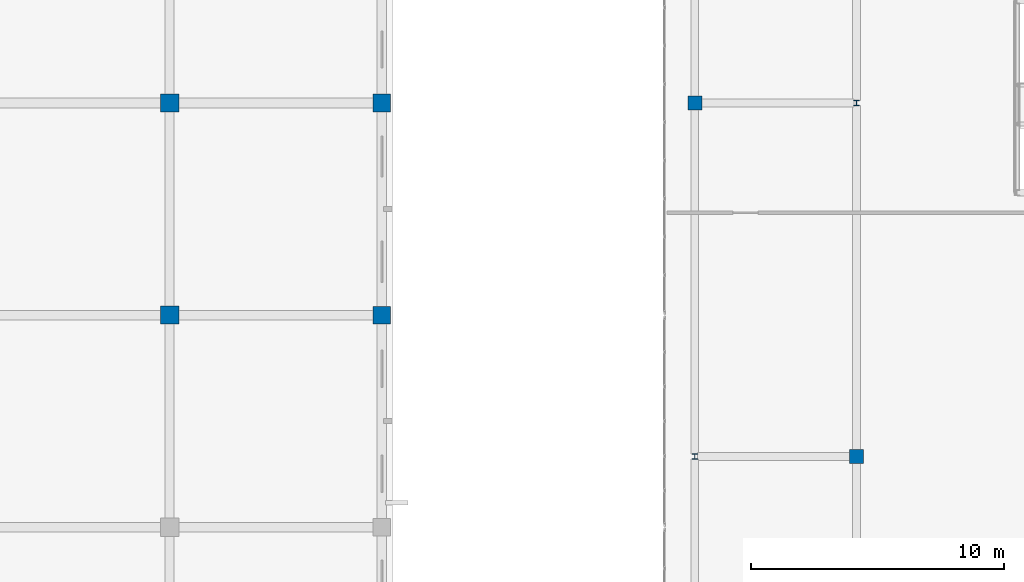
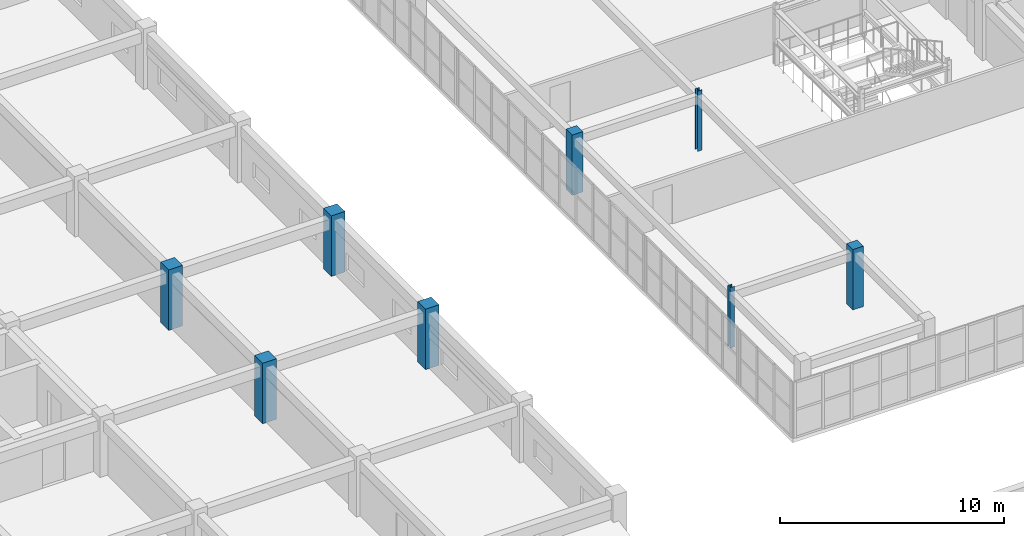
# One storey, part 2 of 148: 8 columns.
"""IFC4 building model written with IfcOpenShell, lengths in metres."""

from ifc_helpers import new_model, si_unit, direction, frame, origin, origin_2d, place, context, subcontext, project, spatial, rectangle, i_section, extrude, material, material_profile, profile_set, type_object, element, save


model = new_model("IFC4")

# Units and contexts
model_context = context("Model", 3, precision=1e-05, world=origin(), true_north=direction((0.0, 1.0)))
body_context = subcontext(model_context, "Body", "Model", "MODEL_VIEW")
ifc_project = project(units=[si_unit("LENGTHUNIT", "METRE"), si_unit("AREAUNIT", "SQUARE_METRE"), si_unit("VOLUMEUNIT", "CUBIC_METRE"), si_unit("PLANEANGLEUNIT", "RADIAN"), si_unit("MASSUNIT", "GRAM", prefix="KILO")], contexts=[model_context])

# Site, building, storey
site_placement = place(None, origin())
site = spatial("IfcSite", under=ifc_project, at=site_placement, CompositionType="ELEMENT")
building_placement = place(site_placement, origin())
building = spatial("IfcBuilding", under=site, at=building_placement, Name="Trelvath General Hospital", CompositionType="ELEMENT")
storey_placement = place(building_placement, frame((0.0, 0.0, 12.89990234375)))
storey = spatial("IfcBuildingStorey", under=building, at=storey_placement, Name="L03", CompositionType="ELEMENT", Elevation=12.89990234375)

# Columns
ifc_material_1 = material(Name="Concrete C40/50", Category="concrete")
ifc_material_profile_1 = material_profile(ifc_material_1, rectangle(XDim=0.550048828125, YDim=0.550048828125, at=origin_2d()), Name="RC550x550")
ifc_profile_set_1 = profile_set([ifc_material_profile_1], Name="Concrete C40/50")
column_type_1 = type_object("IfcColumnType", Name="Column RC550", PredefinedType="COLUMN", material=ifc_profile_set_1)
for number, where, z_axis, x_axis, name in (
    (1, (54.39990234375, 58.800048828125, 0.0), (0.0, 0.0, 1.0), (1.0, 0.0, 0.0), "Cube Interior Column CC-W13 L03"),
    (2, (60.800048828125, 44.800048828125, 0.0), (0.0, 0.0, 1.0), (1.0, 0.0, 0.0), "Cube Interior Column CC-W17 L03"),
):
    element("IfcColumn", number, at=place(storey_placement, frame(where, z_axis=z_axis, x_axis=x_axis)), inside=storey, type_object=column_type_1, Name=name, PredefinedType="COLUMN", context=body_context, shape_type="SweptSolid", body=[
        extrude(rectangle(XDim=0.550048828125, YDim=0.550048828125, at=origin_2d()), origin(), (0.0, 0.0, 1.0), 3.300048828125),
    ])
ifc_material_2 = material(Name="Concrete C40/50", Category="concrete")
ifc_material_profile_2 = material_profile(ifc_material_2, rectangle(XDim=0.699951171875, YDim=0.699951171875, at=origin_2d()), Name="RC700x700")
ifc_profile_set_2 = profile_set([ifc_material_profile_2], Name="Concrete C40/50")
column_type_2 = type_object("IfcColumnType", Name="Column RC700", PredefinedType="COLUMN", material=ifc_profile_set_2)
for number, where, z_axis, x_axis, name in (
    (3, (42.0, 50.39990234375, 0.0), (0.0, 0.0, 1.0), (1.0, 0.0, 0.0), "Column C-6G L03"),
    (4, (42.0, 58.800048828125, 0.0), (0.0, 0.0, 1.0), (1.0, 0.0, 0.0), "Column C-6H L03"),
):
    element("IfcColumn", number, at=place(storey_placement, frame(where, z_axis=z_axis, x_axis=x_axis)), inside=storey, type_object=column_type_2, Name=name, PredefinedType="COLUMN", context=body_context, shape_type="SweptSolid", body=[
        extrude(rectangle(XDim=0.699951171875, YDim=0.699951171875, at=origin_2d()), origin(), (0.0, 0.0, 1.0), 3.300048828125),
    ])
ifc_material_3 = material(Name="Concrete C40/50", Category="concrete")
ifc_material_profile_3 = material_profile(ifc_material_3, rectangle(XDim=0.719970703125, YDim=0.719970703125, at=origin_2d()), Name="RC720x720")
ifc_profile_set_3 = profile_set([ifc_material_profile_3], Name="Concrete C40/50")
column_type_3 = type_object("IfcColumnType", Name="Column RC720", PredefinedType="COLUMN", material=ifc_profile_set_3)
for number, where, z_axis, x_axis, name in (
    (5, (33.60009765625, 50.39990234375, 0.0), (0.0, 0.0, 1.0), (1.0, 0.0, 0.0), "Column C-5G L03"),
    (6, (33.60009765625, 58.800048828125, 0.0), (0.0, 0.0, 1.0), (1.0, 0.0, 0.0), "Column C-5H L03"),
):
    element("IfcColumn", number, at=place(storey_placement, frame(where, z_axis=z_axis, x_axis=x_axis)), inside=storey, type_object=column_type_3, Name=name, PredefinedType="COLUMN", context=body_context, shape_type="SweptSolid", body=[
        extrude(rectangle(XDim=0.719970703125, YDim=0.719970703125, at=origin_2d()), origin(), (0.0, 0.0, 1.0), 3.300048828125),
    ])
ifc_material_4 = material(Name="Steel S355", Category="steel")
ifc_material_profile_4 = material_profile(ifc_material_4, i_section(OverallWidth=0.219970703125, OverallDepth=0.219970703125, WebThickness=0.009521484375, FlangeThickness=0.01611328125, at=origin_2d()), Name="HEB220")
ifc_profile_set_4 = profile_set([ifc_material_profile_4], Name="Steel S355")
column_type_4 = type_object("IfcColumnType", Name="CubePost HEB220", PredefinedType="COLUMN", material=ifc_profile_set_4)
for number, where, z_axis, x_axis, name in (
    (7, (54.39990234375, 44.800048828125, 0.0), (0.0, 0.0, 1.0), (1.0, 0.0, 0.0), "Cube Interior Column CC-W12 L03"),
    (8, (60.800048828125, 58.800048828125, 0.0), (0.0, 0.0, 1.0), (1.0, 0.0, 0.0), "Cube Interior Column CC-W18 L03"),
):
    element("IfcColumn", number, at=place(storey_placement, frame(where, z_axis=z_axis, x_axis=x_axis)), inside=storey, type_object=column_type_4, Name=name, PredefinedType="COLUMN", context=body_context, shape_type="SweptSolid", body=[
        extrude(i_section(OverallWidth=0.219970703125, OverallDepth=0.219970703125, WebThickness=0.009521484375, FlangeThickness=0.01611328125, at=origin_2d()), origin(), (0.0, 0.0, 1.0), 3.300048828125),
    ])

save(model, "model.ifc")
